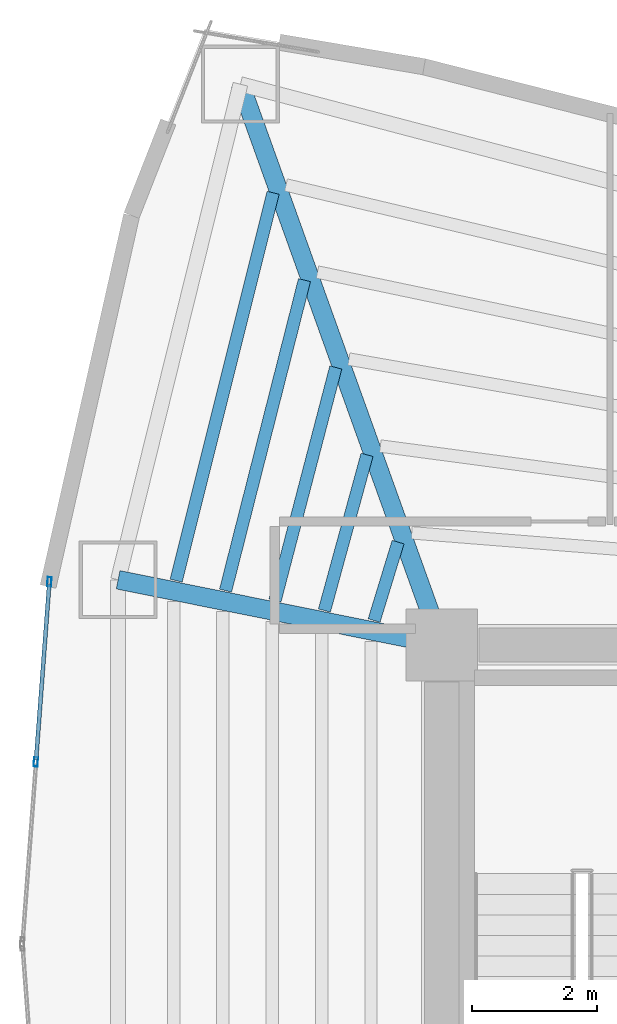
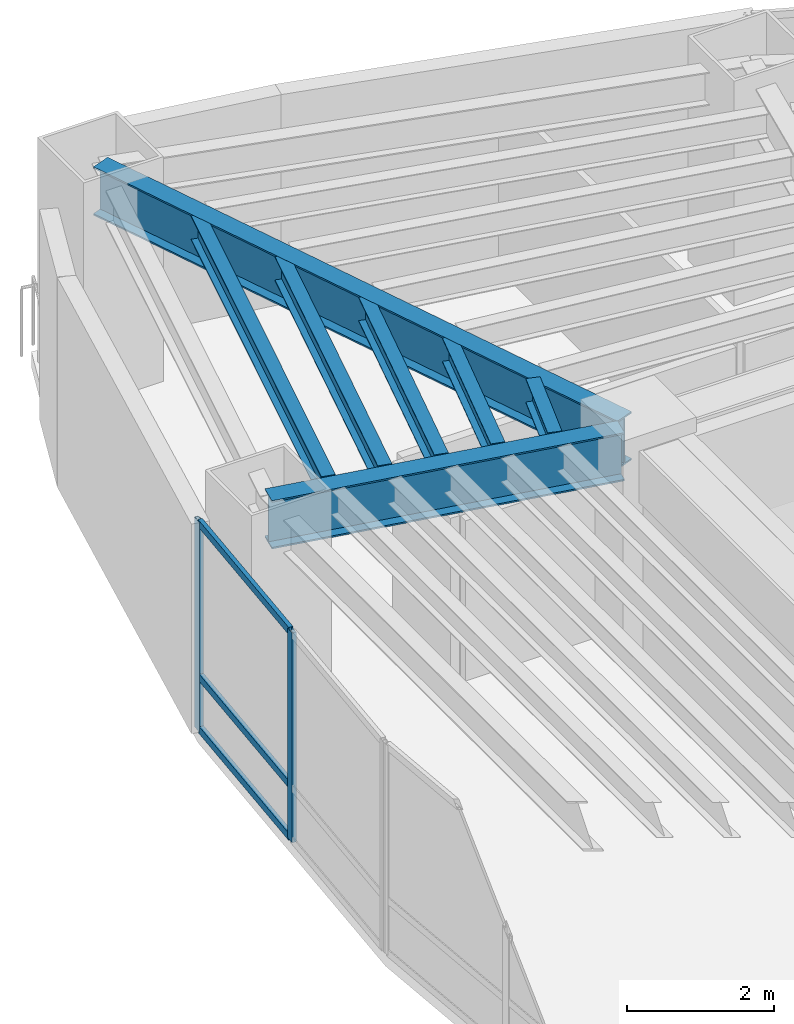
# One storey, part 7 of 18: 7 beams, 5 members, 1 element without a shape of its own.
"""IFC4 building model written with IfcOpenShell, lengths in metres."""

from ifc_helpers import new_model, si_unit, direction, frame, origin, origin_2d, place, context, subcontext, project, spatial, hollow_rectangle, i_section, extrude, material, layer, layer_set, material_profile, profile_set, type_object, element, aggregate, save


model = new_model("IFC4")

# Units and contexts
model_context = context("Model", 3, precision=1e-05, world=origin(), true_north=direction((0.0, 1.0)))
body_context = subcontext(model_context, "Body", "Model", "MODEL_VIEW")
ifc_project = project(units=[si_unit("LENGTHUNIT", "METRE"), si_unit("AREAUNIT", "SQUARE_METRE"), si_unit("VOLUMEUNIT", "CUBIC_METRE"), si_unit("PLANEANGLEUNIT", "RADIAN"), si_unit("MASSUNIT", "GRAM", prefix="KILO")], contexts=[model_context])

# Site, building, storey
site_placement = place(None, origin())
site = spatial("IfcSite", under=ifc_project, at=site_placement, CompositionType="ELEMENT")
building_placement = place(site_placement, origin())
building = spatial("IfcBuilding", under=site, at=building_placement, Name="Menara Vayukalpa", CompositionType="ELEMENT")
storey_placement = place(building_placement, frame((0.0, 0.0, 130.02001953125)))
storey = spatial("IfcBuildingStorey", under=building, at=storey_placement, Name="L32", CompositionType="ELEMENT", Elevation=130.02001953125)

# Beams
ifc_material_1 = material(Name="Steel S355", Category="steel")
ifc_material_profile_1 = material_profile(ifc_material_1, i_section(OverallWidth=0.300048828125, OverallDepth=0.800048828125, WebThickness=0.013916015625, FlangeThickness=0.02587890625, at=origin_2d()), Name="WF 800x300x14x26")
ifc_profile_set_1 = profile_set([ifc_material_profile_1], Name="Steel S355")
beam_type_1 = type_object("IfcBeamType", Name="BM-PG3", PredefinedType="BEAM", material=ifc_profile_set_1)
beam_1_placement = place(storey_placement, frame((17.715576171875, 27.035400390625, 3.070068359375), z_axis=(-0.337975542909, 0.941154892882, 0.0), x_axis=(-0.941154892882, -0.337975542909, 0.0)))
element("IfcBeam", 1, at=beam_1_placement, inside=storey, type_object=beam_type_1, Name="L32 Primary Radial Girder RG04", PredefinedType="BEAM", context=body_context, shape_type="SweptSolid", body=[
    extrude(i_section(OverallWidth=0.300048828125, OverallDepth=0.800048828125, WebThickness=0.013916015625, FlangeThickness=0.02587890625, at=origin_2d()), origin(), (0.0, 0.0, 1.0), 9.309814453125),
])
beam_2_placement = place(storey_placement, frame((17.554931640625, 26.849365234375, 3.070068359375), z_axis=(-0.980324984906, 0.197390283373, 0.0), x_axis=(-0.197390283373, -0.980324984906, 0.0)))
element("IfcBeam", 2, at=beam_2_placement, inside=storey, type_object=beam_type_1, Name="L32 Primary Radial Girder RG05", PredefinedType="BEAM", context=body_context, shape_type="SweptSolid", body=[
    extrude(i_section(OverallWidth=0.300048828125, OverallDepth=0.800048828125, WebThickness=0.013916015625, FlangeThickness=0.02587890625, at=origin_2d()), origin(), (0.0, 0.0, 1.0), 5.047607421875),
])
ifc_material_2 = material(Name="Steel S355", Category="steel")
ifc_material_profile_2 = material_profile(ifc_material_2, i_section(OverallWidth=0.199951171875, OverallDepth=0.39990234375, WebThickness=0.008056640625, FlangeThickness=0.012939453125, at=origin_2d()), Name="WF 400x200x8x13")
ifc_profile_set_2 = profile_set([ifc_material_profile_2], Name="Steel S355")
beam_type_2 = type_object("IfcBeamType", Name="BM-SJ2", PredefinedType="JOIST", material=ifc_profile_set_2)
beam_3_placement = place(storey_placement, frame((17.099365234375, 28.449951171875, 3.27001953125), z_axis=(-0.292651981473, -0.956219021846, 0.0), x_axis=(0.956219021846, -0.292651981473, 0.0)))
element("IfcBeam", 3, at=beam_3_placement, inside=storey, type_object=beam_type_2, Name="L32 Secondary Floor Joist SJ04-1", PredefinedType="JOIST", context=body_context, shape_type="SweptSolid", body=[
    extrude(i_section(OverallWidth=0.199951171875, OverallDepth=0.39990234375, WebThickness=0.008056640625, FlangeThickness=0.012939453125, at=origin_2d()), origin(), (0.0, 0.0, 1.0), 1.31640625),
])
beam_4_placement = place(storey_placement, frame((16.600830078125, 29.850341796875, 3.27001953125), z_axis=(-0.263922858843, -0.964543790908, 0.0), x_axis=(0.964543790908, -0.263922858843, 0.0)))
element("IfcBeam", 4, at=beam_4_placement, inside=storey, type_object=beam_type_2, Name="L32 Secondary Floor Joist SJ04-2", PredefinedType="JOIST", context=body_context, shape_type="SweptSolid", body=[
    extrude(i_section(OverallWidth=0.199951171875, OverallDepth=0.39990234375, WebThickness=0.008056640625, FlangeThickness=0.012939453125, at=origin_2d()), origin(), (0.0, 0.0, 1.0), 2.590087890625),
])
beam_5_placement = place(storey_placement, frame((16.099365234375, 31.251953125, 3.27001953125), z_axis=(-0.252406469257, -0.967621296933, 0.0), x_axis=(0.967621296933, -0.252406469257, 0.0)))
element("IfcBeam", 5, at=beam_5_placement, inside=storey, type_object=beam_type_2, Name="L32 Secondary Floor Joist SJ04-3", PredefinedType="JOIST", context=body_context, shape_type="SweptSolid", body=[
    extrude(i_section(OverallWidth=0.199951171875, OverallDepth=0.39990234375, WebThickness=0.008056640625, FlangeThickness=0.012939453125, at=origin_2d()), origin(), (0.0, 0.0, 1.0), 3.865234375),
])
beam_6_placement = place(storey_placement, frame((15.596923828125, 32.653564453125, 3.27001953125), z_axis=(-0.246311066692, -0.969190826631, 0.0), x_axis=(0.969190826631, -0.246311066692, 0.0)))
element("IfcBeam", 6, at=beam_6_placement, inside=storey, type_object=beam_type_2, Name="L32 Secondary Floor Joist SJ04-4", PredefinedType="JOIST", context=body_context, shape_type="SweptSolid", body=[
    extrude(i_section(OverallWidth=0.199951171875, OverallDepth=0.39990234375, WebThickness=0.008056640625, FlangeThickness=0.012939453125, at=origin_2d()), origin(), (0.0, 0.0, 1.0), 5.140380859375),
])
beam_7_placement = place(storey_placement, frame((15.09423828125, 34.055419921875, 3.27001953125), z_axis=(-0.242481900969, -0.970155929582, 0.0), x_axis=(0.970155929582, -0.242481900969, 0.0)))
element("IfcBeam", 7, at=beam_7_placement, inside=storey, type_object=beam_type_2, Name="L32 Secondary Floor Joist SJ04-5", PredefinedType="JOIST", context=body_context, shape_type="SweptSolid", body=[
    extrude(i_section(OverallWidth=0.199951171875, OverallDepth=0.39990234375, WebThickness=0.008056640625, FlangeThickness=0.012939453125, at=origin_2d()), origin(), (0.0, 0.0, 1.0), 6.41552734375),
])

# Curtain wall, members
ifc_material_3 = material(Name="Anodised Terracotta Aluminium Alloy 6063-T6", Category="masonry")
ifc_layer = layer(ifc_material_3, 0.14990234375)
ifc_layer_set = layer_set([ifc_layer], Name="Anodised Terracotta Aluminium Alloy 6063-T6")
curtain_wall_type = type_object("IfcCurtainWallType", Name="CW-CW3", PredefinedType="USERDEFINED", material=ifc_layer_set)
curtain_wall_placement = place(storey_placement, origin())
curtain_wall = element("IfcCurtainWall", 8, at=curtain_wall_placement, inside=storey, type_object=curtain_wall_type, Name="L32 Mid Rise Terracotta Ribbon Curtain Wall CW3 10", ObjectType="UNITISED", PredefinedType="USERDEFINED")
ifc_material_4 = material(Name="Anodised Terracotta Aluminium Alloy 6063-T6", Category="masonry")
ifc_material_profile_3 = material_profile(ifc_material_4, hollow_rectangle(XDim=0.06494140625, YDim=0.14990234375, WallThickness=0.00341796875, at=origin_2d()), Name="ALU 65x150x3.5")
ifc_profile_set_3 = profile_set([ifc_material_profile_3], Name="Anodised Terracotta Aluminium Alloy 6063-T6")
member_type_1 = type_object("IfcMemberType", Name="CWM-CW3", PredefinedType="MULLION", material=ifc_profile_set_3)
member_1_placement = place(storey_placement, frame((11.504150390625, 27.813232421875, 0.0), z_axis=(0.0, 0.0, 1.0), x_axis=(0.997199659745, -0.07478528334, 0.0)))
member_1 = element("IfcMember", 9, at=member_1_placement, type_object=member_type_1, Name="CW3 mullion 1", PredefinedType="MULLION", context=body_context, shape_type="SweptSolid", body=[
    extrude(hollow_rectangle(XDim=0.06494140625, YDim=0.14990234375, WallThickness=0.00341796875, at=origin_2d()), origin(), (0.0, 0.0, 1.0), 3.469970703125),
])
member_2_placement = place(storey_placement, frame((11.287353515625, 24.9228515625, 0.0), z_axis=(0.0, 0.0, 1.0), x_axis=(0.997199659745, -0.07478528334, 0.0)))
member_2 = element("IfcMember", 10, at=member_2_placement, type_object=member_type_1, Name="CW3 mullion 2", PredefinedType="MULLION", context=body_context, shape_type="SweptSolid", body=[
    extrude(hollow_rectangle(XDim=0.06494140625, YDim=0.14990234375, WallThickness=0.00341796875, at=origin_2d()), origin(), (0.0, 0.0, 1.0), 3.469970703125),
])
ifc_material_5 = material(Name="Anodised Terracotta Aluminium Alloy 6063-T6", Category="masonry")
ifc_material_profile_4 = material_profile(ifc_material_5, hollow_rectangle(XDim=0.06494140625, YDim=0.1201171875, WallThickness=0.00341796875, at=origin_2d()), Name="ALU 65x120x3.5")
ifc_profile_set_4 = profile_set([ifc_material_profile_4], Name="Anodised Terracotta Aluminium Alloy 6063-T6")
member_type_2 = type_object("IfcMemberType", Name="CWT-CW3", PredefinedType="USERDEFINED", material=ifc_profile_set_4)
member_3_placement = place(storey_placement, frame((11.501708984375, 27.78076171875, 0.032470703125), z_axis=(-0.074792090342, -0.997199149229, 0.0), x_axis=(0.997199149229, -0.074792090342, 0.0)))
member_3 = element("IfcMember", 11, at=member_3_placement, type_object=member_type_2, Name="CW3 transom 1.1", ObjectType="TRANSOM", PredefinedType="USERDEFINED", context=body_context, shape_type="SweptSolid", body=[
    extrude(hollow_rectangle(XDim=0.06494140625, YDim=0.1201171875, WallThickness=0.00341796875, at=origin_2d()), origin(), (0.0, 0.0, 1.0), 2.83349609375),
])
member_4_placement = place(storey_placement, frame((11.501708984375, 27.78076171875, 0.89990234375), z_axis=(-0.074792090342, -0.997199149229, 0.0), x_axis=(0.997199149229, -0.074792090342, 0.0)))
member_4 = element("IfcMember", 12, at=member_4_placement, type_object=member_type_2, Name="CW3 transom 1.2", ObjectType="TRANSOM", PredefinedType="USERDEFINED", context=body_context, shape_type="SweptSolid", body=[
    extrude(hollow_rectangle(XDim=0.06494140625, YDim=0.1201171875, WallThickness=0.00341796875, at=origin_2d()), origin(), (0.0, 0.0, 1.0), 2.83349609375),
])
member_5_placement = place(storey_placement, frame((11.501708984375, 27.78076171875, 3.4375), z_axis=(-0.074792090342, -0.997199149229, 0.0), x_axis=(0.997199149229, -0.074792090342, 0.0)))
member_5 = element("IfcMember", 13, at=member_5_placement, type_object=member_type_2, Name="CW3 transom 1.3", ObjectType="TRANSOM", PredefinedType="USERDEFINED", context=body_context, shape_type="SweptSolid", body=[
    extrude(hollow_rectangle(XDim=0.06494140625, YDim=0.1201171875, WallThickness=0.00341796875, at=origin_2d()), origin(), (0.0, 0.0, 1.0), 2.83349609375),
])
aggregate(curtain_wall, [member_1, member_2, member_3, member_4, member_5])

save(model, "model.ifc")
